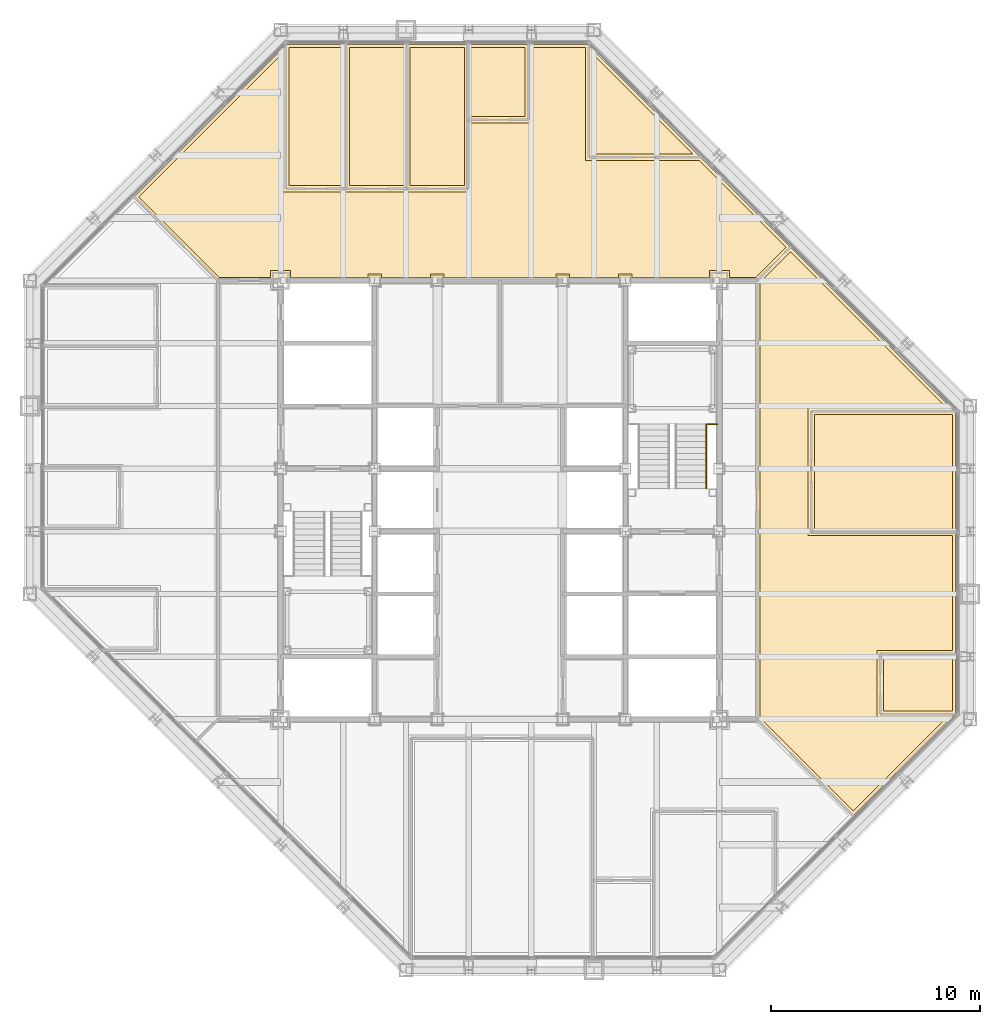
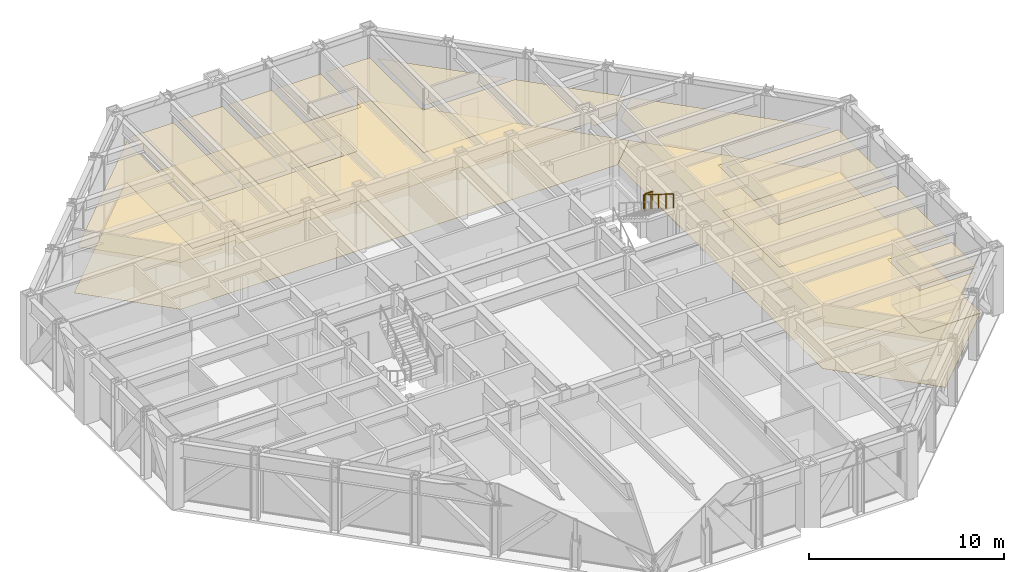
# One storey, part 16 of 16: 18 coverings, 2 railings.
"""IFC4 building model written with IfcOpenShell, lengths in metres."""

from ifc_helpers import new_model, si_unit, direction, frame, origin, origin_2d, place, context, subcontext, project, spatial, polyline, circle, outline, extrude, material, layer, layer_set, type_object, element, save


model = new_model("IFC4")

# Units and contexts
model_context = context("Model", 3, precision=1e-05, world=origin(), true_north=direction((0.0, 1.0)))
body_context = subcontext(model_context, "Body", "Model", "MODEL_VIEW")
ifc_project = project(units=[si_unit("LENGTHUNIT", "METRE"), si_unit("AREAUNIT", "SQUARE_METRE"), si_unit("VOLUMEUNIT", "CUBIC_METRE"), si_unit("PLANEANGLEUNIT", "RADIAN"), si_unit("MASSUNIT", "GRAM", prefix="KILO")], contexts=[model_context])

# Site, building, storey
site_placement = place(None, origin())
site = spatial("IfcSite", under=ifc_project, at=site_placement, CompositionType="ELEMENT")
building_placement = place(site_placement, origin())
building = spatial("IfcBuilding", under=site, at=building_placement, Name="Chuquiago Exchange Tower", CompositionType="ELEMENT")
storey_placement = place(building_placement, frame((0.0, 0.0, 234.89990234375)))
storey = spatial("IfcBuildingStorey", under=building, at=storey_placement, Name="L52", CompositionType="ELEMENT", Elevation=234.89990234375)

# Coverings
ifc_material_1 = material(Name="Mineral fibre tile, 600 x 600, on pale metal grid", Category="mineral fibre")
ifc_layer_1 = layer(ifc_material_1, 0.02001953125)
ifc_layer_set_1 = layer_set([ifc_layer_1], Name="CL1 suspended tile ceiling 20")
covering_type_1 = type_object("IfcCoveringType", Name="CL1 suspended tile ceiling 20", PredefinedType="CEILING", material=ifc_layer_set_1)
covering_1_placement = place(storey_placement, frame((0.0, 0.0, 2.800048828125)))
element("IfcCovering", 1, at=covering_1_placement, inside=storey, type_object=covering_type_1, Name="Ceiling Focus room", PredefinedType="CEILING", context=body_context, shape_type="SweptSolid", body=[
    extrude(outline(polyline([(40.85009765625, 12.3984375), (40.85009765625, 14.9990234375), (44.14990234375, 14.9990234375), (44.14990234375, 12.3984375), (40.85009765625, 12.3984375)])), origin(), (0.0, 0.0, 1.0), 0.02001953125),
])
covering_2_placement = place(storey_placement, frame((0.0, 0.0, 2.800048828125)))
element("IfcCovering", 2, at=covering_2_placement, inside=storey, type_object=covering_type_1, Name="Ceiling Research office", PredefinedType="CEILING", context=body_context, shape_type="SweptSolid", body=[
    extrude(outline(polyline([(44.14990234375, 21.100341796875), (37.550048828125, 21.100341796875), (37.550048828125, 26.6015625), (44.14990234375, 26.6015625), (44.14990234375, 21.100341796875)])), origin(), (0.0, 0.0, 1.0), 0.02001953125),
])
covering_3_placement = place(storey_placement, frame((0.0, 0.0, 2.800048828125)))
element("IfcCovering", 3, at=covering_3_placement, inside=storey, type_object=covering_type_1, Name="Ceiling Research office", PredefinedType="CEILING", context=body_context, shape_type="SweptSolid", body=[
    extrude(outline(polyline([(14.9990234375, 44.14990234375), (14.9990234375, 37.550048828125), (12.3984375, 37.550048828125), (12.3984375, 44.14990234375), (14.9990234375, 44.14990234375)])), origin(), (0.0, 0.0, 1.0), 0.02001953125),
])
covering_4_placement = place(storey_placement, frame((0.0, 0.0, 2.800048828125)))
element("IfcCovering", 4, at=covering_4_placement, inside=storey, type_object=covering_type_1, Name="Ceiling Research office", PredefinedType="CEILING", context=body_context, shape_type="SweptSolid", body=[
    extrude(outline(polyline([(17.899658203125, 37.550048828125), (15.299072265625, 37.550048828125), (15.299072265625, 44.14990234375), (17.899658203125, 44.14990234375), (17.899658203125, 37.550048828125)])), origin(), (0.0, 0.0, 1.0), 0.02001953125),
])
covering_5_placement = place(storey_placement, frame((0.0, 0.0, 2.800048828125)))
element("IfcCovering", 5, at=covering_5_placement, inside=storey, type_object=covering_type_1, Name="Ceiling Research office", PredefinedType="CEILING", context=body_context, shape_type="SweptSolid", body=[
    extrude(outline(polyline([(20.80029296875, 37.550048828125), (18.19970703125, 37.550048828125), (18.19970703125, 44.14990234375), (20.80029296875, 44.14990234375), (20.80029296875, 37.550048828125)])), origin(), (0.0, 0.0, 1.0), 0.02001953125),
])
covering_6_placement = place(storey_placement, frame((0.0, 0.0, 2.800048828125)))
element("IfcCovering", 6, at=covering_6_placement, inside=storey, type_object=covering_type_1, Name="Ceiling Focus room", PredefinedType="CEILING", context=body_context, shape_type="SweptSolid", body=[
    extrude(outline(polyline([(23.700927734375, 40.85009765625), (21.100341796875, 40.85009765625), (21.100341796875, 44.14990234375), (23.700927734375, 44.14990234375), (23.700927734375, 40.85009765625)])), origin(), (0.0, 0.0, 1.0), 0.02001953125),
])
covering_7_placement = place(storey_placement, frame((0.0, 0.0, 2.800048828125)))
element("IfcCovering", 7, at=covering_7_placement, inside=storey, type_object=covering_type_1, Name="Ceiling Meeting room", PredefinedType="CEILING", context=body_context, shape_type="SweptSolid", body=[
    extrude(outline(polyline([(26.901611328125, 39.050048828125), (26.901611328125, 43.896484375), (31.748046875, 39.050048828125), (26.901611328125, 39.050048828125)])), origin(), (0.0, 0.0, 1.0), 0.02001953125),
])
covering_8_placement = place(storey_placement, frame((0.0, 0.0, 2.800048828125)))
element("IfcCovering", 8, at=covering_8_placement, inside=storey, type_object=covering_type_1, Name="Ceiling Open office north", PredefinedType="CEILING", context=body_context, shape_type="SweptSolid", body=[
    extrude(outline(polyline([(12.098388671875, 37.25), (21.100341796875, 37.25), (21.100341796875, 40.550048828125), (24.0009765625, 40.550048828125), (24.0009765625, 44.14990234375), (26.6015625, 44.14990234375), (26.6015625, 38.75), (32.048095703125, 38.75), (36.192626953125, 34.60546875), (34.7373046875, 33.14990234375), (33.47509765625, 33.14990234375), (33.47509765625, 33.47509765625), (32.52490234375, 33.47509765625), (32.52490234375, 33.14990234375), (28.824951171875, 33.14990234375), (28.824951171875, 33.324951171875), (28.175048828125, 33.324951171875), (28.175048828125, 33.14990234375), (25.824951171875, 33.14990234375), (25.824951171875, 33.324951171875), (25.175048828125, 33.324951171875), (25.175048828125, 33.14990234375), (19.824951171875, 33.14990234375), (19.824951171875, 33.324951171875), (19.175048828125, 33.324951171875), (19.175048828125, 33.14990234375), (16.824951171875, 33.14990234375), (16.824951171875, 33.324951171875), (16.175048828125, 33.324951171875), (16.175048828125, 33.14990234375), (12.47509765625, 33.14990234375), (12.47509765625, 33.47509765625), (11.52490234375, 33.47509765625), (11.52490234375, 33.14990234375), (9.0625, 33.14990234375), (5.20751953125, 37.00537109375), (12.098388671875, 43.896484375), (12.098388671875, 37.25)])), origin(), (0.0, 0.0, 1.0), 0.02001953125),
])
covering_9_placement = place(storey_placement, frame((0.0, 0.0, 2.800048828125)))
element("IfcCovering", 9, at=covering_9_placement, inside=storey, type_object=covering_type_1, Name="Ceiling Open office east", PredefinedType="CEILING", context=body_context, shape_type="SweptSolid", body=[
    extrude(outline(polyline([(39.405517578125, 7.607421875), (34.949951171875, 12.0625), (34.949951171875, 32.9375), (36.405517578125, 34.392578125), (43.896484375, 26.901611328125), (37.25, 26.901611328125), (37.25, 20.80029296875), (44.14990234375, 20.80029296875), (44.14990234375, 15.299072265625), (40.550048828125, 15.299072265625), (40.550048828125, 12.098388671875), (43.896484375, 12.098388671875), (39.405517578125, 7.607421875)])), origin(), (0.0, 0.0, 1.0), 0.02001953125),
])
ifc_material_2 = material(Name="Carpet tile, 500 x 500, on the floor slab", Category="textile")
ifc_layer_2 = layer(ifc_material_2, 0.010009765625)
ifc_layer_set_2 = layer_set([ifc_layer_2], Name="FL1 carpet tile 10")
covering_type_2 = type_object("IfcCoveringType", Name="FL1 carpet tile 10", PredefinedType="FLOORING", material=ifc_layer_set_2)
covering_10_placement = place(storey_placement, origin())
element("IfcCovering", 10, at=covering_10_placement, inside=storey, type_object=covering_type_2, Name="Floor finish Focus room", PredefinedType="FLOORING", context=body_context, shape_type="SweptSolid", body=[
    extrude(outline(polyline([(44.300048828125, 12.289794921875), (44.258544921875, 12.24853515625), (40.699951171875, 12.24853515625), (40.699951171875, 15.149169921875), (44.300048828125, 15.149169921875), (44.300048828125, 12.289794921875)])), origin(), (0.0, 0.0, 1.0), 0.010009765625),
])
covering_11_placement = place(storey_placement, origin())
element("IfcCovering", 11, at=covering_11_placement, inside=storey, type_object=covering_type_2, Name="Floor finish Research office", PredefinedType="FLOORING", context=body_context, shape_type="SweptSolid", body=[
    extrude(outline(polyline([(44.300048828125, 26.710205078125), (44.300048828125, 20.9501953125), (37.39990234375, 20.9501953125), (37.39990234375, 26.75146484375), (44.258544921875, 26.75146484375), (44.300048828125, 26.710205078125)])), origin(), (0.0, 0.0, 1.0), 0.010009765625),
])
covering_12_placement = place(storey_placement, origin())
element("IfcCovering", 12, at=covering_12_placement, inside=storey, type_object=covering_type_2, Name="Floor finish Research office", PredefinedType="FLOORING", context=body_context, shape_type="SweptSolid", body=[
    extrude(outline(polyline([(12.289794921875, 44.300048828125), (15.149169921875, 44.300048828125), (15.149169921875, 37.39990234375), (12.24853515625, 37.39990234375), (12.24853515625, 44.258544921875), (12.289794921875, 44.300048828125)])), origin(), (0.0, 0.0, 1.0), 0.010009765625),
])
covering_13_placement = place(storey_placement, origin())
element("IfcCovering", 13, at=covering_13_placement, inside=storey, type_object=covering_type_2, Name="Floor finish Research office", PredefinedType="FLOORING", context=body_context, shape_type="SweptSolid", body=[
    extrude(outline(polyline([(18.0498046875, 44.300048828125), (18.0498046875, 37.39990234375), (15.149169921875, 37.39990234375), (15.149169921875, 44.300048828125), (18.0498046875, 44.300048828125)])), origin(), (0.0, 0.0, 1.0), 0.010009765625),
])
covering_14_placement = place(storey_placement, origin())
element("IfcCovering", 14, at=covering_14_placement, inside=storey, type_object=covering_type_2, Name="Floor finish Research office", PredefinedType="FLOORING", context=body_context, shape_type="SweptSolid", body=[
    extrude(outline(polyline([(20.9501953125, 44.300048828125), (20.9501953125, 37.39990234375), (18.0498046875, 37.39990234375), (18.0498046875, 44.300048828125), (20.9501953125, 44.300048828125)])), origin(), (0.0, 0.0, 1.0), 0.010009765625),
])
covering_15_placement = place(storey_placement, origin())
element("IfcCovering", 15, at=covering_15_placement, inside=storey, type_object=covering_type_2, Name="Floor finish Focus room", PredefinedType="FLOORING", context=body_context, shape_type="SweptSolid", body=[
    extrude(outline(polyline([(23.850830078125, 44.300048828125), (23.850830078125, 40.699951171875), (20.9501953125, 40.699951171875), (20.9501953125, 44.300048828125), (23.850830078125, 44.300048828125)])), origin(), (0.0, 0.0, 1.0), 0.010009765625),
])
covering_16_placement = place(storey_placement, origin())
element("IfcCovering", 16, at=covering_16_placement, inside=storey, type_object=covering_type_2, Name="Floor finish Meeting room", PredefinedType="FLOORING", context=body_context, shape_type="SweptSolid", body=[
    extrude(outline(polyline([(32.110107421875, 38.89990234375), (26.75146484375, 38.89990234375), (26.75146484375, 44.258544921875), (32.110107421875, 38.89990234375)])), origin(), (0.0, 0.0, 1.0), 0.010009765625),
])
covering_17_placement = place(storey_placement, origin())
element("IfcCovering", 17, at=covering_17_placement, inside=storey, type_object=covering_type_2, Name="Floor finish Open office north", PredefinedType="FLOORING", context=body_context, shape_type="SweptSolid", body=[
    extrude(outline(polyline([(12.289794921875, 44.300048828125), (12.24853515625, 44.258544921875), (12.24853515625, 37.39990234375), (20.9501953125, 37.39990234375), (20.9501953125, 40.699951171875), (23.850830078125, 40.699951171875), (23.850830078125, 44.300048828125), (26.710205078125, 44.300048828125), (26.75146484375, 44.258544921875), (26.75146484375, 38.89990234375), (32.110107421875, 38.89990234375), (36.40478515625, 34.60546875), (34.799560546875, 33.0), (9.00048828125, 33.0), (4.995361328125, 37.00537109375), (12.289794921875, 44.300048828125)])), origin(), (0.0, 0.0, 1.0), 0.010009765625),
])
covering_18_placement = place(storey_placement, origin())
element("IfcCovering", 18, at=covering_18_placement, inside=storey, type_object=covering_type_2, Name="Floor finish Open office east", PredefinedType="FLOORING", context=body_context, shape_type="SweptSolid", body=[
    extrude(outline(polyline([(44.258544921875, 26.75146484375), (37.39990234375, 26.75146484375), (37.39990234375, 20.9501953125), (44.300048828125, 20.9501953125), (44.300048828125, 15.149169921875), (40.699951171875, 15.149169921875), (40.699951171875, 12.24853515625), (44.258544921875, 12.24853515625), (44.300048828125, 12.289794921875), (39.405517578125, 7.395263671875), (34.800048828125, 12.00048828125), (34.800048828125, 32.99951171875), (36.405517578125, 34.604736328125), (44.258544921875, 26.75146484375)])), origin(), (0.0, 0.0, 1.0), 0.010009765625),
])

# Railings
ifc_material_3 = material(Name="Pale metal guard with safety glass infill", Category="glass")
railing_type_1 = type_object("IfcRailingType", Name="GR1 guard 1100", PredefinedType="GUARDRAIL", material=ifc_material_3)
railing_1_placement = place(storey_placement, frame((32.445068359375, 26.1298828125, 2.10009765625)))
element("IfcRailing", 19, at=railing_1_placement, inside=storey, type_object=railing_type_1, Name="Guard ST2 L52 landing 2", PredefinedType="GUARDRAIL", context=body_context, shape_type="SweptSolid", body=[
    extrude(circle(Radius=0.02392578125, at=origin_2d()), frame((0.0, 0.0, 1.076171875), z_axis=(1.0, 0.0, 0.0), x_axis=(0.0, 1.0, 0.0)), (0.0, 0.0, 1.0), 0.454833984375),
    extrude(circle(Radius=0.02099609375, at=origin_2d()), origin(), (0.0, 0.0, 1.0), 1.052001953125),
    extrude(circle(Radius=0.02099609375, at=origin_2d()), frame((0.454833984375, 0.0, 0.0)), (0.0, 0.0, 1.0), 1.052001953125),
])
ifc_material_4 = material(Name="Pale metal handrail", Category="steel")
railing_type_2 = type_object("IfcRailingType", Name="HR1 handrail 900", PredefinedType="HANDRAIL", material=ifc_material_4)
railing_2_placement = place(storey_placement, frame((32.364990234375, 26.1298828125, 2.275146484375)))
element("IfcRailing", 20, at=railing_2_placement, inside=storey, type_object=railing_type_2, Name="Handrail ST2 L52 flight 2", PredefinedType="HANDRAIL", context=body_context, shape_type="SweptSolid", body=[
    extrude(circle(Radius=0.02392578125, at=origin_2d()), frame((0.0, 0.0, 0.8759765625), z_axis=(0.0, -0.847979421464, 0.530029150871), x_axis=(1.0, 0.0, 0.0)), (0.0, 0.0, 1.0), 3.632080078125),
    extrude(circle(Radius=0.02099609375, at=origin_2d()), origin(), (0.0, 0.0, 1.0), 0.851806640625),
    extrude(circle(Radius=0.02099609375, at=origin_2d()), frame((0.0, -0.77001953125, 0.481201171875)), (0.0, 0.0, 1.0), 0.851806640625),
    extrude(circle(Radius=0.02099609375, at=origin_2d()), frame((0.0, -1.5400390625, 0.96240234375)), (0.0, 0.0, 1.0), 0.851806640625),
    extrude(circle(Radius=0.02099609375, at=origin_2d()), frame((0.0, -2.309814453125, 1.44384765625)), (0.0, 0.0, 1.0), 0.851806640625),
    extrude(circle(Radius=0.02099609375, at=origin_2d()), frame((0.0, -3.079833984375, 1.925048828125)), (0.0, 0.0, 1.0), 0.851806640625),
])

save(model, "model.ifc")
